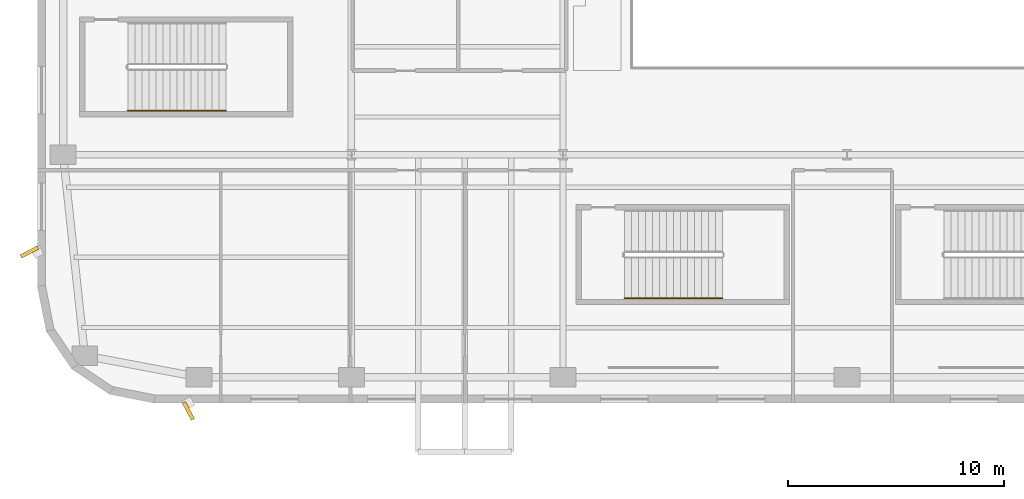
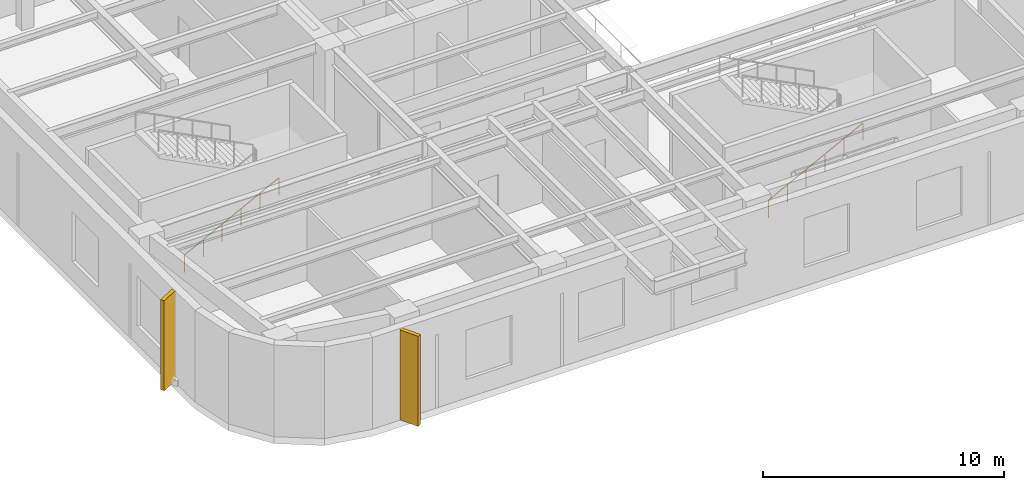
# One storey, part 14 of 24: 2 railings, 2 shading devices.
"""IFC4 building model written with IfcOpenShell, lengths in metres."""

from ifc_helpers import new_model, si_unit, direction, frame, origin, origin_2d, place, context, subcontext, project, spatial, rectangle, circle, extrude, material, type_object, element, save


model = new_model("IFC4")

# Units and contexts
model_context = context("Model", 3, precision=1e-05, world=origin(), true_north=direction((0.0, 1.0)))
body_context = subcontext(model_context, "Body", "Model", "MODEL_VIEW")
ifc_project = project(units=[si_unit("LENGTHUNIT", "METRE"), si_unit("AREAUNIT", "SQUARE_METRE"), si_unit("VOLUMEUNIT", "CUBIC_METRE"), si_unit("PLANEANGLEUNIT", "RADIAN"), si_unit("MASSUNIT", "GRAM", prefix="KILO")], contexts=[model_context])

# Site, building, storey
site_placement = place(None, origin())
site = spatial("IfcSite", under=ifc_project, at=site_placement, CompositionType="ELEMENT")
building_placement = place(site_placement, origin())
building = spatial("IfcBuilding", under=site, at=building_placement, Name="Kolvaren Arena Tower", CompositionType="ELEMENT")
storey_placement = place(building_placement, frame((0.0, 0.0, 23.0)))
storey = spatial("IfcBuildingStorey", under=building, at=storey_placement, Name="L04", CompositionType="ELEMENT", Elevation=23.0)

# Railings
ifc_material_1 = material(Name="Brushed stainless steel handrail", Category="steel")
railing_type = type_object("IfcRailingType", Name="HRAIL-900", PredefinedType="HANDRAIL", material=ifc_material_1)
for number, where, name in (
    (1, (4.199951171875, 13.550048828125, 0.166748046875), "L04 ST-A1 stair handrail 1"),
    (2, (27.199951171875, 4.85009765625, 0.166748046875), "L04 ST-A2 stair handrail 1"),
):
    element("IfcRailing", number, at=place(storey_placement, frame(where)), inside=storey, type_object=railing_type, Name=name, PredefinedType="HANDRAIL", context=body_context, shape_type="SweptSolid", body=[
        extrude(circle(Radius=0.02392578125, at=origin_2d()), frame((0.0, 0.0, 0.8759765625), z_axis=(0.889257211316, 0.0, 0.457407490234), x_axis=(0.0, 1.0, 0.0)), (0.0, 0.0, 1.0), 5.10107421875),
        extrude(circle(Radius=0.02099609375, at=origin_2d()), origin(), (0.0, 0.0, 1.0), 0.851806640625),
        extrude(circle(Radius=0.02099609375, at=origin_2d()), frame((0.9072265625, 0.0, 0.466552734375)), (0.0, 0.0, 1.0), 0.851806640625),
        extrude(circle(Radius=0.02099609375, at=origin_2d()), frame((1.814453125, 0.0, 0.933349609375)), (0.0, 0.0, 1.0), 0.851806640625),
        extrude(circle(Radius=0.02099609375, at=origin_2d()), frame((2.7216796875, 0.0, 1.39990234375)), (0.0, 0.0, 1.0), 0.851806640625),
        extrude(circle(Radius=0.02099609375, at=origin_2d()), frame((3.62890625, 0.0, 1.86669921875)), (0.0, 0.0, 1.0), 0.851806640625),
        extrude(circle(Radius=0.02099609375, at=origin_2d()), frame((4.5361328125, 0.0, 2.333251953125)), (0.0, 0.0, 1.0), 0.851806640625),
    ])

# Shading devices
ifc_material_2 = material(Name="Precast architectural concrete C50/60 rib fin", Category="concrete")
shading_device_type = type_object("IfcShadingDeviceType", Name="SHAD-FIN-28", PredefinedType="USERDEFINED", material=ifc_material_2)
for number, where, z_axis, x_axis, name in (
    (3, (-0.360107421875, 7.0, 0.02001953125), (0.0, 0.0, 1.0), (-0.882947592859, -0.469471562786, 0.0), "Arena Podium 28-Deg Precast Fin (L04)"),
    (4, (7.0, -0.360107421875, 0.02001953125), (0.0, 0.0, 1.0), (0.469471562786, -0.882947592859, 0.0), "Arena Podium 28-Deg Precast Fin (L04)"),
):
    element("IfcShadingDevice", number, at=place(storey_placement, frame(where, z_axis=z_axis, x_axis=x_axis)), inside=storey, type_object=shading_device_type, Name=name, ObjectType="FIN", PredefinedType="USERDEFINED", context=body_context, shape_type="SweptSolid", body=[
        extrude(rectangle(XDim=0.89990234375, YDim=0.179931640625, at=origin_2d()), origin(), (0.0, 0.0, 1.0), 4.570068359375),
    ])

save(model, "model.ifc")
